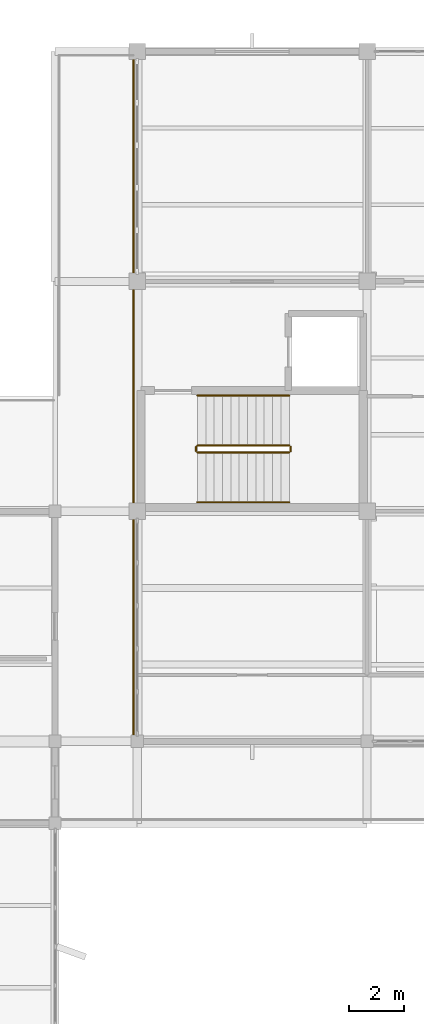
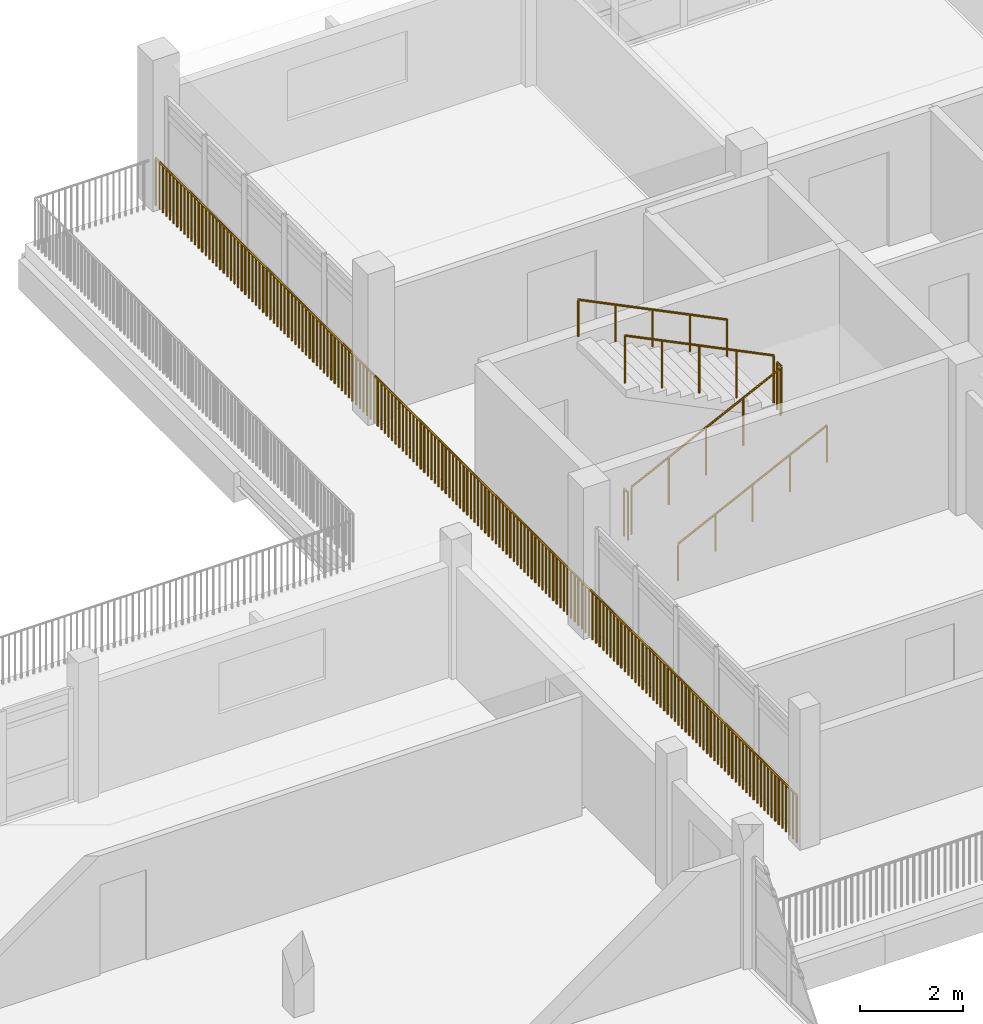
# One storey, part 27 of 33: 7 railings.
"""IFC4 building model written with IfcOpenShell, lengths in metres."""

from ifc_helpers import new_model, si_unit, direction, frame, origin, origin_2d, place, context, subcontext, project, spatial, circle, extrude, material, type_object, element, save


model = new_model("IFC4")

# Units and contexts
model_context = context("Model", 3, precision=1e-05, world=origin(), true_north=direction((0.0, 1.0)))
body_context = subcontext(model_context, "Body", "Model", "MODEL_VIEW")
ifc_project = project(units=[si_unit("LENGTHUNIT", "METRE"), si_unit("AREAUNIT", "SQUARE_METRE"), si_unit("VOLUMEUNIT", "CUBIC_METRE"), si_unit("PLANEANGLEUNIT", "RADIAN"), si_unit("MASSUNIT", "GRAM", prefix="KILO")], contexts=[model_context])

# Site, building, storey
site_placement = place(None, origin())
site = spatial("IfcSite", under=ifc_project, at=site_placement, CompositionType="ELEMENT")
building_placement = place(site_placement, origin())
building = spatial("IfcBuilding", under=site, at=building_placement, Name="Vanh Quang Courtyard School", CompositionType="ELEMENT")
storey_placement = place(building_placement, frame((0.0, 0.0, 18.60009765625)))
storey = spatial("IfcBuildingStorey", under=building, at=storey_placement, Name="L05", CompositionType="ELEMENT", Elevation=18.60009765625)

# Railings
ifc_material_1 = material(Name="Galvanised painted steel EN 10025-2 S355J2", Category="steel")
railing_type_1 = type_object("IfcRailingType", Name="RAIL-GUARD-1150", PredefinedType="BALUSTRADE", material=ifc_material_1)
railing_1_placement = place(storey_placement, frame((77.260009765625, 96.4599609375, 0.0)))
element("IfcRailing", 1, at=railing_1_placement, inside=storey, type_object=railing_type_1, Name="Railing GR-01 (L05)", PredefinedType="BALUSTRADE", context=body_context, shape_type="SweptSolid", body=[
    extrude(circle(Radius=0.02392578125, at=origin_2d()), frame((0.0, 0.0, 1.1259765625), z_axis=(0.0, -1.0, 0.0), x_axis=(1.0, 0.0, 0.0)), (0.0, 0.0, 1.0), 25.010009765625),
    extrude(circle(Radius=0.02099609375, at=origin_2d()), origin(), (0.0, 0.0, 1.0), 1.101806640625),
    extrude(circle(Radius=0.02099609375, at=origin_2d()), frame((0.0, -0.1396484375, 0.0)), (0.0, 0.0, 1.0), 1.101806640625),
    extrude(circle(Radius=0.02099609375, at=origin_2d()), frame((0.0, -0.279541015625, 0.0)), (0.0, 0.0, 1.0), 1.101806640625),
    extrude(circle(Radius=0.02099609375, at=origin_2d()), frame((0.0, -0.419189453125, 0.0)), (0.0, 0.0, 1.0), 1.101806640625),
    extrude(circle(Radius=0.02099609375, at=origin_2d()), frame((0.0, -0.558837890625, 0.0)), (0.0, 0.0, 1.0), 1.101806640625),
    extrude(circle(Radius=0.02099609375, at=origin_2d()), frame((0.0, -0.698486328125, 0.0)), (0.0, 0.0, 1.0), 1.101806640625),
    extrude(circle(Radius=0.02099609375, at=origin_2d()), frame((0.0, -0.83837890625, 0.0)), (0.0, 0.0, 1.0), 1.101806640625),
    extrude(circle(Radius=0.02099609375, at=origin_2d()), frame((0.0, -0.97802734375, 0.0)), (0.0, 0.0, 1.0), 1.101806640625),
    extrude(circle(Radius=0.02099609375, at=origin_2d()), frame((0.0, -1.11767578125, 0.0)), (0.0, 0.0, 1.0), 1.101806640625),
    extrude(circle(Radius=0.02099609375, at=origin_2d()), frame((0.0, -1.257568359375, 0.0)), (0.0, 0.0, 1.0), 1.101806640625),
    extrude(circle(Radius=0.02099609375, at=origin_2d()), frame((0.0, -1.397216796875, 0.0)), (0.0, 0.0, 1.0), 1.101806640625),
    extrude(circle(Radius=0.02099609375, at=origin_2d()), frame((0.0, -1.536865234375, 0.0)), (0.0, 0.0, 1.0), 1.101806640625),
    extrude(circle(Radius=0.02099609375, at=origin_2d()), frame((0.0, -1.6767578125, 0.0)), (0.0, 0.0, 1.0), 1.101806640625),
    extrude(circle(Radius=0.02099609375, at=origin_2d()), frame((0.0, -1.81640625, 0.0)), (0.0, 0.0, 1.0), 1.101806640625),
    extrude(circle(Radius=0.02099609375, at=origin_2d()), frame((0.0, -1.9560546875, 0.0)), (0.0, 0.0, 1.0), 1.101806640625),
    extrude(circle(Radius=0.02099609375, at=origin_2d()), frame((0.0, -2.095703125, 0.0)), (0.0, 0.0, 1.0), 1.101806640625),
    extrude(circle(Radius=0.02099609375, at=origin_2d()), frame((0.0, -2.235595703125, 0.0)), (0.0, 0.0, 1.0), 1.101806640625),
    extrude(circle(Radius=0.02099609375, at=origin_2d()), frame((0.0, -2.375244140625, 0.0)), (0.0, 0.0, 1.0), 1.101806640625),
    extrude(circle(Radius=0.02099609375, at=origin_2d()), frame((0.0, -2.514892578125, 0.0)), (0.0, 0.0, 1.0), 1.101806640625),
    extrude(circle(Radius=0.02099609375, at=origin_2d()), frame((0.0, -2.65478515625, 0.0)), (0.0, 0.0, 1.0), 1.101806640625),
    extrude(circle(Radius=0.02099609375, at=origin_2d()), frame((0.0, -2.79443359375, 0.0)), (0.0, 0.0, 1.0), 1.101806640625),
    extrude(circle(Radius=0.02099609375, at=origin_2d()), frame((0.0, -2.93408203125, 0.0)), (0.0, 0.0, 1.0), 1.101806640625),
    extrude(circle(Radius=0.02099609375, at=origin_2d()), frame((0.0, -3.073974609375, 0.0)), (0.0, 0.0, 1.0), 1.101806640625),
    extrude(circle(Radius=0.02099609375, at=origin_2d()), frame((0.0, -3.213623046875, 0.0)), (0.0, 0.0, 1.0), 1.101806640625),
    extrude(circle(Radius=0.02099609375, at=origin_2d()), frame((0.0, -3.353271484375, 0.0)), (0.0, 0.0, 1.0), 1.101806640625),
    extrude(circle(Radius=0.02099609375, at=origin_2d()), frame((0.0, -3.492919921875, 0.0)), (0.0, 0.0, 1.0), 1.101806640625),
    extrude(circle(Radius=0.02099609375, at=origin_2d()), frame((0.0, -3.6328125, 0.0)), (0.0, 0.0, 1.0), 1.101806640625),
    extrude(circle(Radius=0.02099609375, at=origin_2d()), frame((0.0, -3.7724609375, 0.0)), (0.0, 0.0, 1.0), 1.101806640625),
    extrude(circle(Radius=0.02099609375, at=origin_2d()), frame((0.0, -3.912109375, 0.0)), (0.0, 0.0, 1.0), 1.101806640625),
    extrude(circle(Radius=0.02099609375, at=origin_2d()), frame((0.0, -4.052001953125, 0.0)), (0.0, 0.0, 1.0), 1.101806640625),
    extrude(circle(Radius=0.02099609375, at=origin_2d()), frame((0.0, -4.191650390625, 0.0)), (0.0, 0.0, 1.0), 1.101806640625),
    extrude(circle(Radius=0.02099609375, at=origin_2d()), frame((0.0, -4.331298828125, 0.0)), (0.0, 0.0, 1.0), 1.101806640625),
    extrude(circle(Radius=0.02099609375, at=origin_2d()), frame((0.0, -4.470947265625, 0.0)), (0.0, 0.0, 1.0), 1.101806640625),
    extrude(circle(Radius=0.02099609375, at=origin_2d()), frame((0.0, -4.61083984375, 0.0)), (0.0, 0.0, 1.0), 1.101806640625),
    extrude(circle(Radius=0.02099609375, at=origin_2d()), frame((0.0, -4.75048828125, 0.0)), (0.0, 0.0, 1.0), 1.101806640625),
    extrude(circle(Radius=0.02099609375, at=origin_2d()), frame((0.0, -4.89013671875, 0.0)), (0.0, 0.0, 1.0), 1.101806640625),
    extrude(circle(Radius=0.02099609375, at=origin_2d()), frame((0.0, -5.030029296875, 0.0)), (0.0, 0.0, 1.0), 1.101806640625),
    extrude(circle(Radius=0.02099609375, at=origin_2d()), frame((0.0, -5.169677734375, 0.0)), (0.0, 0.0, 1.0), 1.101806640625),
    extrude(circle(Radius=0.02099609375, at=origin_2d()), frame((0.0, -5.309326171875, 0.0)), (0.0, 0.0, 1.0), 1.101806640625),
    extrude(circle(Radius=0.02099609375, at=origin_2d()), frame((0.0, -5.44921875, 0.0)), (0.0, 0.0, 1.0), 1.101806640625),
    extrude(circle(Radius=0.02099609375, at=origin_2d()), frame((0.0, -5.5888671875, 0.0)), (0.0, 0.0, 1.0), 1.101806640625),
    extrude(circle(Radius=0.02099609375, at=origin_2d()), frame((0.0, -5.728515625, 0.0)), (0.0, 0.0, 1.0), 1.101806640625),
    extrude(circle(Radius=0.02099609375, at=origin_2d()), frame((0.0, -5.8681640625, 0.0)), (0.0, 0.0, 1.0), 1.101806640625),
    extrude(circle(Radius=0.02099609375, at=origin_2d()), frame((0.0, -6.008056640625, 0.0)), (0.0, 0.0, 1.0), 1.101806640625),
    extrude(circle(Radius=0.02099609375, at=origin_2d()), frame((0.0, -6.147705078125, 0.0)), (0.0, 0.0, 1.0), 1.101806640625),
    extrude(circle(Radius=0.02099609375, at=origin_2d()), frame((0.0, -6.287353515625, 0.0)), (0.0, 0.0, 1.0), 1.101806640625),
    extrude(circle(Radius=0.02099609375, at=origin_2d()), frame((0.0, -6.42724609375, 0.0)), (0.0, 0.0, 1.0), 1.101806640625),
    extrude(circle(Radius=0.02099609375, at=origin_2d()), frame((0.0, -6.56689453125, 0.0)), (0.0, 0.0, 1.0), 1.101806640625),
    extrude(circle(Radius=0.02099609375, at=origin_2d()), frame((0.0, -6.70654296875, 0.0)), (0.0, 0.0, 1.0), 1.101806640625),
    extrude(circle(Radius=0.02099609375, at=origin_2d()), frame((0.0, -6.846435546875, 0.0)), (0.0, 0.0, 1.0), 1.101806640625),
    extrude(circle(Radius=0.02099609375, at=origin_2d()), frame((0.0, -6.986083984375, 0.0)), (0.0, 0.0, 1.0), 1.101806640625),
    extrude(circle(Radius=0.02099609375, at=origin_2d()), frame((0.0, -7.125732421875, 0.0)), (0.0, 0.0, 1.0), 1.101806640625),
    extrude(circle(Radius=0.02099609375, at=origin_2d()), frame((0.0, -7.265380859375, 0.0)), (0.0, 0.0, 1.0), 1.101806640625),
    extrude(circle(Radius=0.02099609375, at=origin_2d()), frame((0.0, -7.4052734375, 0.0)), (0.0, 0.0, 1.0), 1.101806640625),
    extrude(circle(Radius=0.02099609375, at=origin_2d()), frame((0.0, -7.544921875, 0.0)), (0.0, 0.0, 1.0), 1.101806640625),
    extrude(circle(Radius=0.02099609375, at=origin_2d()), frame((0.0, -7.6845703125, 0.0)), (0.0, 0.0, 1.0), 1.101806640625),
    extrude(circle(Radius=0.02099609375, at=origin_2d()), frame((0.0, -7.824462890625, 0.0)), (0.0, 0.0, 1.0), 1.101806640625),
    extrude(circle(Radius=0.02099609375, at=origin_2d()), frame((0.0, -7.964111328125, 0.0)), (0.0, 0.0, 1.0), 1.101806640625),
    extrude(circle(Radius=0.02099609375, at=origin_2d()), frame((0.0, -8.103759765625, 0.0)), (0.0, 0.0, 1.0), 1.101806640625),
    extrude(circle(Radius=0.02099609375, at=origin_2d()), frame((0.0, -8.243408203125, 0.0)), (0.0, 0.0, 1.0), 1.101806640625),
    extrude(circle(Radius=0.02099609375, at=origin_2d()), frame((0.0, -8.38330078125, 0.0)), (0.0, 0.0, 1.0), 1.101806640625),
    extrude(circle(Radius=0.02099609375, at=origin_2d()), frame((0.0, -8.52294921875, 0.0)), (0.0, 0.0, 1.0), 1.101806640625),
    extrude(circle(Radius=0.02099609375, at=origin_2d()), frame((0.0, -8.66259765625, 0.0)), (0.0, 0.0, 1.0), 1.101806640625),
    extrude(circle(Radius=0.02099609375, at=origin_2d()), frame((0.0, -8.802490234375, 0.0)), (0.0, 0.0, 1.0), 1.101806640625),
    extrude(circle(Radius=0.02099609375, at=origin_2d()), frame((0.0, -8.942138671875, 0.0)), (0.0, 0.0, 1.0), 1.101806640625),
    extrude(circle(Radius=0.02099609375, at=origin_2d()), frame((0.0, -9.081787109375, 0.0)), (0.0, 0.0, 1.0), 1.101806640625),
    extrude(circle(Radius=0.02099609375, at=origin_2d()), frame((0.0, -9.2216796875, 0.0)), (0.0, 0.0, 1.0), 1.101806640625),
    extrude(circle(Radius=0.02099609375, at=origin_2d()), frame((0.0, -9.361328125, 0.0)), (0.0, 0.0, 1.0), 1.101806640625),
    extrude(circle(Radius=0.02099609375, at=origin_2d()), frame((0.0, -9.5009765625, 0.0)), (0.0, 0.0, 1.0), 1.101806640625),
    extrude(circle(Radius=0.02099609375, at=origin_2d()), frame((0.0, -9.640625, 0.0)), (0.0, 0.0, 1.0), 1.101806640625),
    extrude(circle(Radius=0.02099609375, at=origin_2d()), frame((0.0, -9.780517578125, 0.0)), (0.0, 0.0, 1.0), 1.101806640625),
    extrude(circle(Radius=0.02099609375, at=origin_2d()), frame((0.0, -9.920166015625, 0.0)), (0.0, 0.0, 1.0), 1.101806640625),
    extrude(circle(Radius=0.02099609375, at=origin_2d()), frame((0.0, -10.059814453125, 0.0)), (0.0, 0.0, 1.0), 1.101806640625),
    extrude(circle(Radius=0.02099609375, at=origin_2d()), frame((0.0, -10.19970703125, 0.0)), (0.0, 0.0, 1.0), 1.101806640625),
    extrude(circle(Radius=0.02099609375, at=origin_2d()), frame((0.0, -10.33935546875, 0.0)), (0.0, 0.0, 1.0), 1.101806640625),
    extrude(circle(Radius=0.02099609375, at=origin_2d()), frame((0.0, -10.47900390625, 0.0)), (0.0, 0.0, 1.0), 1.101806640625),
    extrude(circle(Radius=0.02099609375, at=origin_2d()), frame((0.0, -10.618896484375, 0.0)), (0.0, 0.0, 1.0), 1.101806640625),
    extrude(circle(Radius=0.02099609375, at=origin_2d()), frame((0.0, -10.758544921875, 0.0)), (0.0, 0.0, 1.0), 1.101806640625),
    extrude(circle(Radius=0.02099609375, at=origin_2d()), frame((0.0, -10.898193359375, 0.0)), (0.0, 0.0, 1.0), 1.101806640625),
    extrude(circle(Radius=0.02099609375, at=origin_2d()), frame((0.0, -11.037841796875, 0.0)), (0.0, 0.0, 1.0), 1.101806640625),
    extrude(circle(Radius=0.02099609375, at=origin_2d()), frame((0.0, -11.177734375, 0.0)), (0.0, 0.0, 1.0), 1.101806640625),
    extrude(circle(Radius=0.02099609375, at=origin_2d()), frame((0.0, -11.3173828125, 0.0)), (0.0, 0.0, 1.0), 1.101806640625),
    extrude(circle(Radius=0.02099609375, at=origin_2d()), frame((0.0, -11.45703125, 0.0)), (0.0, 0.0, 1.0), 1.101806640625),
    extrude(circle(Radius=0.02099609375, at=origin_2d()), frame((0.0, -11.596923828125, 0.0)), (0.0, 0.0, 1.0), 1.101806640625),
    extrude(circle(Radius=0.02099609375, at=origin_2d()), frame((0.0, -11.736572265625, 0.0)), (0.0, 0.0, 1.0), 1.101806640625),
    extrude(circle(Radius=0.02099609375, at=origin_2d()), frame((0.0, -11.876220703125, 0.0)), (0.0, 0.0, 1.0), 1.101806640625),
    extrude(circle(Radius=0.02099609375, at=origin_2d()), frame((0.0, -12.015869140625, 0.0)), (0.0, 0.0, 1.0), 1.101806640625),
    extrude(circle(Radius=0.02099609375, at=origin_2d()), frame((0.0, -12.15576171875, 0.0)), (0.0, 0.0, 1.0), 1.101806640625),
    extrude(circle(Radius=0.02099609375, at=origin_2d()), frame((0.0, -12.29541015625, 0.0)), (0.0, 0.0, 1.0), 1.101806640625),
    extrude(circle(Radius=0.02099609375, at=origin_2d()), frame((0.0, -12.43505859375, 0.0)), (0.0, 0.0, 1.0), 1.101806640625),
    extrude(circle(Radius=0.02099609375, at=origin_2d()), frame((0.0, -12.574951171875, 0.0)), (0.0, 0.0, 1.0), 1.101806640625),
    extrude(circle(Radius=0.02099609375, at=origin_2d()), frame((0.0, -12.714599609375, 0.0)), (0.0, 0.0, 1.0), 1.101806640625),
    extrude(circle(Radius=0.02099609375, at=origin_2d()), frame((0.0, -12.854248046875, 0.0)), (0.0, 0.0, 1.0), 1.101806640625),
    extrude(circle(Radius=0.02099609375, at=origin_2d()), frame((0.0, -12.994140625, 0.0)), (0.0, 0.0, 1.0), 1.101806640625),
    extrude(circle(Radius=0.02099609375, at=origin_2d()), frame((0.0, -13.1337890625, 0.0)), (0.0, 0.0, 1.0), 1.101806640625),
    extrude(circle(Radius=0.02099609375, at=origin_2d()), frame((0.0, -13.2734375, 0.0)), (0.0, 0.0, 1.0), 1.101806640625),
    extrude(circle(Radius=0.02099609375, at=origin_2d()), frame((0.0, -13.4130859375, 0.0)), (0.0, 0.0, 1.0), 1.101806640625),
    extrude(circle(Radius=0.02099609375, at=origin_2d()), frame((0.0, -13.552978515625, 0.0)), (0.0, 0.0, 1.0), 1.101806640625),
    extrude(circle(Radius=0.02099609375, at=origin_2d()), frame((0.0, -13.692626953125, 0.0)), (0.0, 0.0, 1.0), 1.101806640625),
    extrude(circle(Radius=0.02099609375, at=origin_2d()), frame((0.0, -13.832275390625, 0.0)), (0.0, 0.0, 1.0), 1.101806640625),
    extrude(circle(Radius=0.02099609375, at=origin_2d()), frame((0.0, -13.97216796875, 0.0)), (0.0, 0.0, 1.0), 1.101806640625),
    extrude(circle(Radius=0.02099609375, at=origin_2d()), frame((0.0, -14.11181640625, 0.0)), (0.0, 0.0, 1.0), 1.101806640625),
    extrude(circle(Radius=0.02099609375, at=origin_2d()), frame((0.0, -14.25146484375, 0.0)), (0.0, 0.0, 1.0), 1.101806640625),
    extrude(circle(Radius=0.02099609375, at=origin_2d()), frame((0.0, -14.39111328125, 0.0)), (0.0, 0.0, 1.0), 1.101806640625),
    extrude(circle(Radius=0.02099609375, at=origin_2d()), frame((0.0, -14.531005859375, 0.0)), (0.0, 0.0, 1.0), 1.101806640625),
    extrude(circle(Radius=0.02099609375, at=origin_2d()), frame((0.0, -14.670654296875, 0.0)), (0.0, 0.0, 1.0), 1.101806640625),
    extrude(circle(Radius=0.02099609375, at=origin_2d()), frame((0.0, -14.810302734375, 0.0)), (0.0, 0.0, 1.0), 1.101806640625),
    extrude(circle(Radius=0.02099609375, at=origin_2d()), frame((0.0, -14.9501953125, 0.0)), (0.0, 0.0, 1.0), 1.101806640625),
    extrude(circle(Radius=0.02099609375, at=origin_2d()), frame((0.0, -15.08984375, 0.0)), (0.0, 0.0, 1.0), 1.101806640625),
    extrude(circle(Radius=0.02099609375, at=origin_2d()), frame((0.0, -15.2294921875, 0.0)), (0.0, 0.0, 1.0), 1.101806640625),
    extrude(circle(Radius=0.02099609375, at=origin_2d()), frame((0.0, -15.369384765625, 0.0)), (0.0, 0.0, 1.0), 1.101806640625),
    extrude(circle(Radius=0.02099609375, at=origin_2d()), frame((0.0, -15.509033203125, 0.0)), (0.0, 0.0, 1.0), 1.101806640625),
    extrude(circle(Radius=0.02099609375, at=origin_2d()), frame((0.0, -15.648681640625, 0.0)), (0.0, 0.0, 1.0), 1.101806640625),
    extrude(circle(Radius=0.02099609375, at=origin_2d()), frame((0.0, -15.788330078125, 0.0)), (0.0, 0.0, 1.0), 1.101806640625),
    extrude(circle(Radius=0.02099609375, at=origin_2d()), frame((0.0, -15.92822265625, 0.0)), (0.0, 0.0, 1.0), 1.101806640625),
    extrude(circle(Radius=0.02099609375, at=origin_2d()), frame((0.0, -16.06787109375, 0.0)), (0.0, 0.0, 1.0), 1.101806640625),
    extrude(circle(Radius=0.02099609375, at=origin_2d()), frame((0.0, -16.20751953125, 0.0)), (0.0, 0.0, 1.0), 1.101806640625),
    extrude(circle(Radius=0.02099609375, at=origin_2d()), frame((0.0, -16.347412109375, 0.0)), (0.0, 0.0, 1.0), 1.101806640625),
    extrude(circle(Radius=0.02099609375, at=origin_2d()), frame((0.0, -16.487060546875, 0.0)), (0.0, 0.0, 1.0), 1.101806640625),
    extrude(circle(Radius=0.02099609375, at=origin_2d()), frame((0.0, -16.626708984375, 0.0)), (0.0, 0.0, 1.0), 1.101806640625),
    extrude(circle(Radius=0.02099609375, at=origin_2d()), frame((0.0, -16.7666015625, 0.0)), (0.0, 0.0, 1.0), 1.101806640625),
    extrude(circle(Radius=0.02099609375, at=origin_2d()), frame((0.0, -16.90625, 0.0)), (0.0, 0.0, 1.0), 1.101806640625),
    extrude(circle(Radius=0.02099609375, at=origin_2d()), frame((0.0, -17.0458984375, 0.0)), (0.0, 0.0, 1.0), 1.101806640625),
    extrude(circle(Radius=0.02099609375, at=origin_2d()), frame((0.0, -17.185546875, 0.0)), (0.0, 0.0, 1.0), 1.101806640625),
    extrude(circle(Radius=0.02099609375, at=origin_2d()), frame((0.0, -17.325439453125, 0.0)), (0.0, 0.0, 1.0), 1.101806640625),
    extrude(circle(Radius=0.02099609375, at=origin_2d()), frame((0.0, -17.465087890625, 0.0)), (0.0, 0.0, 1.0), 1.101806640625),
    extrude(circle(Radius=0.02099609375, at=origin_2d()), frame((0.0, -17.604736328125, 0.0)), (0.0, 0.0, 1.0), 1.101806640625),
    extrude(circle(Radius=0.02099609375, at=origin_2d()), frame((0.0, -17.74462890625, 0.0)), (0.0, 0.0, 1.0), 1.101806640625),
    extrude(circle(Radius=0.02099609375, at=origin_2d()), frame((0.0, -17.88427734375, 0.0)), (0.0, 0.0, 1.0), 1.101806640625),
    extrude(circle(Radius=0.02099609375, at=origin_2d()), frame((0.0, -18.02392578125, 0.0)), (0.0, 0.0, 1.0), 1.101806640625),
    extrude(circle(Radius=0.02099609375, at=origin_2d()), frame((0.0, -18.16357421875, 0.0)), (0.0, 0.0, 1.0), 1.101806640625),
    extrude(circle(Radius=0.02099609375, at=origin_2d()), frame((0.0, -18.303466796875, 0.0)), (0.0, 0.0, 1.0), 1.101806640625),
    extrude(circle(Radius=0.02099609375, at=origin_2d()), frame((0.0, -18.443115234375, 0.0)), (0.0, 0.0, 1.0), 1.101806640625),
    extrude(circle(Radius=0.02099609375, at=origin_2d()), frame((0.0, -18.582763671875, 0.0)), (0.0, 0.0, 1.0), 1.101806640625),
    extrude(circle(Radius=0.02099609375, at=origin_2d()), frame((0.0, -18.72265625, 0.0)), (0.0, 0.0, 1.0), 1.101806640625),
    extrude(circle(Radius=0.02099609375, at=origin_2d()), frame((0.0, -18.8623046875, 0.0)), (0.0, 0.0, 1.0), 1.101806640625),
    extrude(circle(Radius=0.02099609375, at=origin_2d()), frame((0.0, -19.001953125, 0.0)), (0.0, 0.0, 1.0), 1.101806640625),
    extrude(circle(Radius=0.02099609375, at=origin_2d()), frame((0.0, -19.141845703125, 0.0)), (0.0, 0.0, 1.0), 1.101806640625),
    extrude(circle(Radius=0.02099609375, at=origin_2d()), frame((0.0, -19.281494140625, 0.0)), (0.0, 0.0, 1.0), 1.101806640625),
    extrude(circle(Radius=0.02099609375, at=origin_2d()), frame((0.0, -19.421142578125, 0.0)), (0.0, 0.0, 1.0), 1.101806640625),
    extrude(circle(Radius=0.02099609375, at=origin_2d()), frame((0.0, -19.560791015625, 0.0)), (0.0, 0.0, 1.0), 1.101806640625),
    extrude(circle(Radius=0.02099609375, at=origin_2d()), frame((0.0, -19.70068359375, 0.0)), (0.0, 0.0, 1.0), 1.101806640625),
    extrude(circle(Radius=0.02099609375, at=origin_2d()), frame((0.0, -19.84033203125, 0.0)), (0.0, 0.0, 1.0), 1.101806640625),
    extrude(circle(Radius=0.02099609375, at=origin_2d()), frame((0.0, -19.97998046875, 0.0)), (0.0, 0.0, 1.0), 1.101806640625),
    extrude(circle(Radius=0.02099609375, at=origin_2d()), frame((0.0, -20.119873046875, 0.0)), (0.0, 0.0, 1.0), 1.101806640625),
    extrude(circle(Radius=0.02099609375, at=origin_2d()), frame((0.0, -20.259521484375, 0.0)), (0.0, 0.0, 1.0), 1.101806640625),
    extrude(circle(Radius=0.02099609375, at=origin_2d()), frame((0.0, -20.399169921875, 0.0)), (0.0, 0.0, 1.0), 1.101806640625),
    extrude(circle(Radius=0.02099609375, at=origin_2d()), frame((0.0, -20.5390625, 0.0)), (0.0, 0.0, 1.0), 1.101806640625),
    extrude(circle(Radius=0.02099609375, at=origin_2d()), frame((0.0, -20.6787109375, 0.0)), (0.0, 0.0, 1.0), 1.101806640625),
    extrude(circle(Radius=0.02099609375, at=origin_2d()), frame((0.0, -20.818359375, 0.0)), (0.0, 0.0, 1.0), 1.101806640625),
    extrude(circle(Radius=0.02099609375, at=origin_2d()), frame((0.0, -20.9580078125, 0.0)), (0.0, 0.0, 1.0), 1.101806640625),
    extrude(circle(Radius=0.02099609375, at=origin_2d()), frame((0.0, -21.097900390625, 0.0)), (0.0, 0.0, 1.0), 1.101806640625),
    extrude(circle(Radius=0.02099609375, at=origin_2d()), frame((0.0, -21.237548828125, 0.0)), (0.0, 0.0, 1.0), 1.101806640625),
    extrude(circle(Radius=0.02099609375, at=origin_2d()), frame((0.0, -21.377197265625, 0.0)), (0.0, 0.0, 1.0), 1.101806640625),
    extrude(circle(Radius=0.02099609375, at=origin_2d()), frame((0.0, -21.51708984375, 0.0)), (0.0, 0.0, 1.0), 1.101806640625),
    extrude(circle(Radius=0.02099609375, at=origin_2d()), frame((0.0, -21.65673828125, 0.0)), (0.0, 0.0, 1.0), 1.101806640625),
    extrude(circle(Radius=0.02099609375, at=origin_2d()), frame((0.0, -21.79638671875, 0.0)), (0.0, 0.0, 1.0), 1.101806640625),
    extrude(circle(Radius=0.02099609375, at=origin_2d()), frame((0.0, -21.93603515625, 0.0)), (0.0, 0.0, 1.0), 1.101806640625),
    extrude(circle(Radius=0.02099609375, at=origin_2d()), frame((0.0, -22.075927734375, 0.0)), (0.0, 0.0, 1.0), 1.101806640625),
    extrude(circle(Radius=0.02099609375, at=origin_2d()), frame((0.0, -22.215576171875, 0.0)), (0.0, 0.0, 1.0), 1.101806640625),
    extrude(circle(Radius=0.02099609375, at=origin_2d()), frame((0.0, -22.355224609375, 0.0)), (0.0, 0.0, 1.0), 1.101806640625),
    extrude(circle(Radius=0.02099609375, at=origin_2d()), frame((0.0, -22.4951171875, 0.0)), (0.0, 0.0, 1.0), 1.101806640625),
    extrude(circle(Radius=0.02099609375, at=origin_2d()), frame((0.0, -22.634765625, 0.0)), (0.0, 0.0, 1.0), 1.101806640625),
    extrude(circle(Radius=0.02099609375, at=origin_2d()), frame((0.0, -22.7744140625, 0.0)), (0.0, 0.0, 1.0), 1.101806640625),
    extrude(circle(Radius=0.02099609375, at=origin_2d()), frame((0.0, -22.914306640625, 0.0)), (0.0, 0.0, 1.0), 1.101806640625),
    extrude(circle(Radius=0.02099609375, at=origin_2d()), frame((0.0, -23.053955078125, 0.0)), (0.0, 0.0, 1.0), 1.101806640625),
    extrude(circle(Radius=0.02099609375, at=origin_2d()), frame((0.0, -23.193603515625, 0.0)), (0.0, 0.0, 1.0), 1.101806640625),
    extrude(circle(Radius=0.02099609375, at=origin_2d()), frame((0.0, -23.333251953125, 0.0)), (0.0, 0.0, 1.0), 1.101806640625),
    extrude(circle(Radius=0.02099609375, at=origin_2d()), frame((0.0, -23.47314453125, 0.0)), (0.0, 0.0, 1.0), 1.101806640625),
    extrude(circle(Radius=0.02099609375, at=origin_2d()), frame((0.0, -23.61279296875, 0.0)), (0.0, 0.0, 1.0), 1.101806640625),
    extrude(circle(Radius=0.02099609375, at=origin_2d()), frame((0.0, -23.75244140625, 0.0)), (0.0, 0.0, 1.0), 1.101806640625),
    extrude(circle(Radius=0.02099609375, at=origin_2d()), frame((0.0, -23.892333984375, 0.0)), (0.0, 0.0, 1.0), 1.101806640625),
    extrude(circle(Radius=0.02099609375, at=origin_2d()), frame((0.0, -24.031982421875, 0.0)), (0.0, 0.0, 1.0), 1.101806640625),
    extrude(circle(Radius=0.02099609375, at=origin_2d()), frame((0.0, -24.171630859375, 0.0)), (0.0, 0.0, 1.0), 1.101806640625),
    extrude(circle(Radius=0.02099609375, at=origin_2d()), frame((0.0, -24.3115234375, 0.0)), (0.0, 0.0, 1.0), 1.101806640625),
    extrude(circle(Radius=0.02099609375, at=origin_2d()), frame((0.0, -24.451171875, 0.0)), (0.0, 0.0, 1.0), 1.101806640625),
    extrude(circle(Radius=0.02099609375, at=origin_2d()), frame((0.0, -24.5908203125, 0.0)), (0.0, 0.0, 1.0), 1.101806640625),
    extrude(circle(Radius=0.02099609375, at=origin_2d()), frame((0.0, -24.73046875, 0.0)), (0.0, 0.0, 1.0), 1.101806640625),
    extrude(circle(Radius=0.02099609375, at=origin_2d()), frame((0.0, -24.870361328125, 0.0)), (0.0, 0.0, 1.0), 1.101806640625),
    extrude(circle(Radius=0.02099609375, at=origin_2d()), frame((0.0, -25.010009765625, 0.0)), (0.0, 0.0, 1.0), 1.101806640625),
])
railing_2_placement = place(storey_placement, frame((79.60009765625, 81.949951171875, 0.14990234375)))
element("IfcRailing", 2, at=railing_2_placement, inside=storey, type_object=railing_type_1, Name="L05 ST-01 stair guard 1", PredefinedType="BALUSTRADE", context=body_context, shape_type="SweptSolid", body=[
    extrude(circle(Radius=0.02392578125, at=origin_2d()), frame((0.0, 0.0, 1.1259765625), z_axis=(0.897359292542, 0.0, 0.441300691239), x_axis=(0.0, 1.0, 0.0)), (0.0, 0.0, 1.0), 3.73876953125),
    extrude(circle(Radius=0.02099609375, at=origin_2d()), origin(), (0.0, 0.0, 1.0), 1.101806640625),
    extrude(circle(Radius=0.02099609375, at=origin_2d()), frame((0.8388671875, 0.0, 0.41259765625)), (0.0, 0.0, 1.0), 1.101806640625),
    extrude(circle(Radius=0.02099609375, at=origin_2d()), frame((1.677490234375, 0.0, 0.824951171875)), (0.0, 0.0, 1.0), 1.101806640625),
    extrude(circle(Radius=0.02099609375, at=origin_2d()), frame((2.51611328125, 0.0, 1.2373046875)), (0.0, 0.0, 1.0), 1.101806640625),
    extrude(circle(Radius=0.02099609375, at=origin_2d()), frame((3.35498046875, 0.0, 1.64990234375)), (0.0, 0.0, 1.0), 1.101806640625),
])
railing_3_placement = place(storey_placement, frame((83.0048828125, 82.0, 1.7998046875)))
element("IfcRailing", 3, at=railing_3_placement, inside=storey, type_object=railing_type_1, Name="L05 ST-01 stair guard 2", PredefinedType="BALUSTRADE", context=body_context, shape_type="SweptSolid", body=[
    extrude(circle(Radius=0.02392578125, at=origin_2d()), frame((0.0, 0.0, 1.1259765625), z_axis=(0.0, 1.0, 0.0), x_axis=(-1.0, 0.0, 0.0)), (0.0, 0.0, 1.0), 0.159912109375),
    extrude(circle(Radius=0.02099609375, at=origin_2d()), origin(), (0.0, 0.0, 1.0), 1.101806640625),
    extrude(circle(Radius=0.02099609375, at=origin_2d()), frame((0.0, 0.159912109375, 0.0)), (0.0, 0.0, 1.0), 1.101806640625),
])
railing_4_placement = place(storey_placement, frame((82.955078125, 82.2099609375, 1.949951171875)))
element("IfcRailing", 4, at=railing_4_placement, inside=storey, type_object=railing_type_1, Name="L05 ST-01 stair guard 3", PredefinedType="BALUSTRADE", context=body_context, shape_type="SweptSolid", body=[
    extrude(circle(Radius=0.02392578125, at=origin_2d()), frame((0.0, 0.0, 1.1259765625), z_axis=(-0.897359292542, 0.0, 0.441300691239), x_axis=(0.0, -1.0, 0.0)), (0.0, 0.0, 1.0), 3.73876953125),
    extrude(circle(Radius=0.02099609375, at=origin_2d()), origin(), (0.0, 0.0, 1.0), 1.101806640625),
    extrude(circle(Radius=0.02099609375, at=origin_2d()), frame((-0.8388671875, 0.0, 0.41259765625)), (0.0, 0.0, 1.0), 1.101806640625),
    extrude(circle(Radius=0.02099609375, at=origin_2d()), frame((-1.677490234375, 0.0, 0.824951171875)), (0.0, 0.0, 1.0), 1.101806640625),
    extrude(circle(Radius=0.02099609375, at=origin_2d()), frame((-2.51611328125, 0.0, 1.2373046875)), (0.0, 0.0, 1.0), 1.101806640625),
    extrude(circle(Radius=0.02099609375, at=origin_2d()), frame((-3.35498046875, 0.0, 1.64990234375)), (0.0, 0.0, 1.0), 1.101806640625),
])
railing_5_placement = place(storey_placement, frame((79.550048828125, 82.0, 0.0)))
element("IfcRailing", 5, at=railing_5_placement, inside=storey, type_object=railing_type_1, Name="L05 ST-01 stair guard 4", PredefinedType="BALUSTRADE", context=body_context, shape_type="SweptSolid", body=[
    extrude(circle(Radius=0.02392578125, at=origin_2d()), frame((0.0, 0.0, 1.1259765625), z_axis=(0.0, 1.0, 0.0), x_axis=(-1.0, 0.0, 0.0)), (0.0, 0.0, 1.0), 0.159912109375),
    extrude(circle(Radius=0.02099609375, at=origin_2d()), origin(), (0.0, 0.0, 1.0), 1.101806640625),
    extrude(circle(Radius=0.02099609375, at=origin_2d()), frame((0.0, 0.159912109375, 0.0)), (0.0, 0.0, 1.0), 1.101806640625),
])
ifc_material_2 = material(Name="Brushed stainless steel", Category="steel")
railing_type_2 = type_object("IfcRailingType", Name="RAIL-HAND-900", PredefinedType="HANDRAIL", material=ifc_material_2)
railing_6_placement = place(storey_placement, frame((79.60009765625, 80.1298828125, 0.14990234375)))
element("IfcRailing", 6, at=railing_6_placement, inside=storey, type_object=railing_type_2, Name="L05 ST-01 stair handrail 1", PredefinedType="HANDRAIL", context=body_context, shape_type="SweptSolid", body=[
    extrude(circle(Radius=0.02392578125, at=origin_2d()), frame((0.0, 0.0, 0.8759765625), z_axis=(0.897359292542, 0.0, 0.441300691239), x_axis=(0.0, 1.0, 0.0)), (0.0, 0.0, 1.0), 3.73876953125),
    extrude(circle(Radius=0.02099609375, at=origin_2d()), origin(), (0.0, 0.0, 1.0), 0.851806640625),
    extrude(circle(Radius=0.02099609375, at=origin_2d()), frame((0.8388671875, 0.0, 0.41259765625)), (0.0, 0.0, 1.0), 0.851806640625),
    extrude(circle(Radius=0.02099609375, at=origin_2d()), frame((1.677490234375, 0.0, 0.824951171875)), (0.0, 0.0, 1.0), 0.851806640625),
    extrude(circle(Radius=0.02099609375, at=origin_2d()), frame((2.51611328125, 0.0, 1.2373046875)), (0.0, 0.0, 1.0), 0.851806640625),
    extrude(circle(Radius=0.02099609375, at=origin_2d()), frame((3.35498046875, 0.0, 1.64990234375)), (0.0, 0.0, 1.0), 0.851806640625),
])
railing_7_placement = place(storey_placement, frame((82.955078125, 84.030029296875, 1.949951171875)))
element("IfcRailing", 7, at=railing_7_placement, inside=storey, type_object=railing_type_2, Name="L05 ST-01 stair handrail 2", PredefinedType="HANDRAIL", context=body_context, shape_type="SweptSolid", body=[
    extrude(circle(Radius=0.02392578125, at=origin_2d()), frame((0.0, 0.0, 0.8759765625), z_axis=(-0.897359292542, 0.0, 0.441300691239), x_axis=(0.0, -1.0, 0.0)), (0.0, 0.0, 1.0), 3.73876953125),
    extrude(circle(Radius=0.02099609375, at=origin_2d()), origin(), (0.0, 0.0, 1.0), 0.851806640625),
    extrude(circle(Radius=0.02099609375, at=origin_2d()), frame((-0.8388671875, 0.0, 0.41259765625)), (0.0, 0.0, 1.0), 0.851806640625),
    extrude(circle(Radius=0.02099609375, at=origin_2d()), frame((-1.677490234375, 0.0, 0.824951171875)), (0.0, 0.0, 1.0), 0.851806640625),
    extrude(circle(Radius=0.02099609375, at=origin_2d()), frame((-2.51611328125, 0.0, 1.2373046875)), (0.0, 0.0, 1.0), 0.851806640625),
    extrude(circle(Radius=0.02099609375, at=origin_2d()), frame((-3.35498046875, 0.0, 1.64990234375)), (0.0, 0.0, 1.0), 0.851806640625),
])

save(model, "model.ifc")
